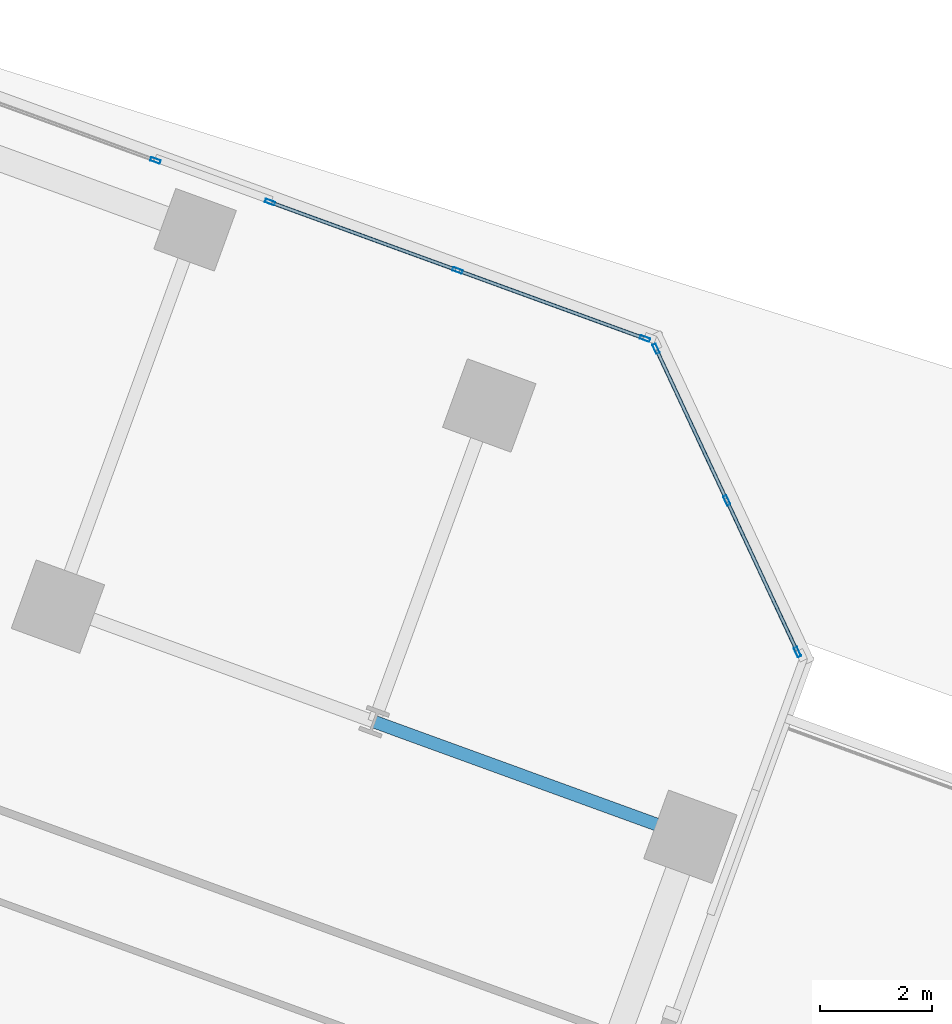
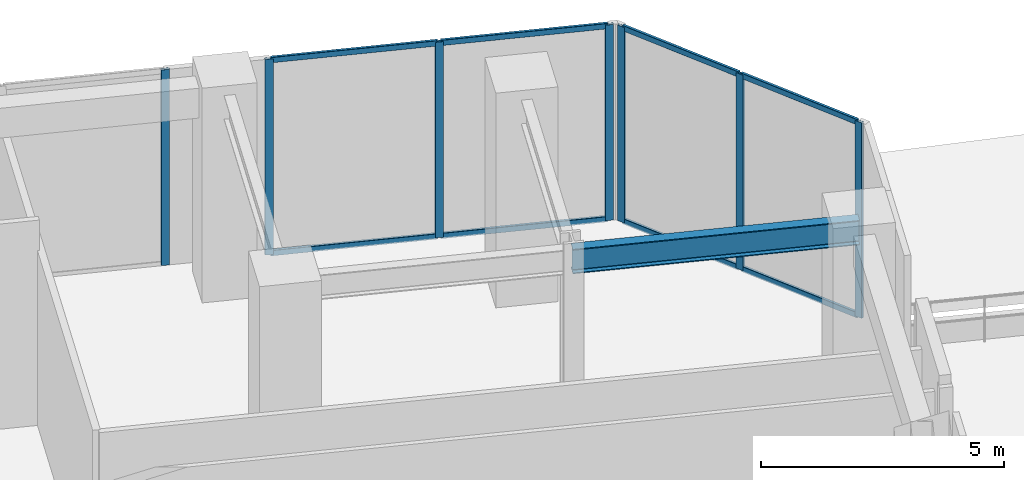
# One storey, part 11 of 21: 15 members, 1 beam, 3 elements without a shape of their own.
"""IFC4 building model written with IfcOpenShell, lengths in metres."""

import ifcopenshell
import ifcopenshell.guid

model = None  # the IFC model being written
_history = None  # IfcOwnerHistory: only IFC2X3 demands one
_inside = {}  # id of a spatial element -> (the spatial element, [elements in it])
_under = {}  # id of a project, library or spatial element -> (it, [spatial elements below it])
_declared = {}  # id of a project -> (the project, [libraries it declares])
_typed = {}  # id of a type object -> (the type object, [elements of that type])
_made_of = {}  # id of a material, layer set ... -> (it, [elements and type objects made of it])


def new_model(schema):
    """Start an empty IFC model of exactly this schema.

    Asked for "IFC4X3", IfcOpenShell would pick the latest addendum, in which some entities
    have other attributes; the version numbers below select the first issue.
    IFC2X3 requires an IfcOwnerHistory on every rooted entity: one is made here for all.
    """
    global model, _history
    if schema == "IFC4X3":
        model = ifcopenshell.file(schema_version=(4, 3, 0, 0))
    else:
        model = ifcopenshell.file(schema=schema)
    _inside.clear()
    _under.clear()
    _declared.clear()
    _typed.clear()
    _made_of.clear()
    _history = None
    if model.schema == "IFC2X3":
        org = make("IfcOrganization", Name="unknown")
        user = make(
            "IfcPersonAndOrganization",
            ThePerson=make("IfcPerson", FamilyName="unknown"),
            TheOrganization=org,
        )
        app = make(
            "IfcApplication",
            ApplicationDeveloper=org,
            Version="unknown",
            ApplicationFullName="unknown",
            ApplicationIdentifier="unknown",
        )
        _history = make(
            "IfcOwnerHistory",
            OwningUser=user,
            OwningApplication=app,
            ChangeAction="ADDED",
            CreationDate=0,
        )
    return model


def make(cls, **values):
    """One entity of the class cls with the attributes given. An attribute that is None is left unset."""
    return model.create_entity(
        cls, **{name: value for name, value in values.items() if value is not None}
    )


def rooted(cls, **values):
    """An entity with a GlobalId (a new one), such as an element, a storey or a relation."""
    return make(cls, GlobalId=ifcopenshell.guid.new(), OwnerHistory=_history, **values)


def si_unit(unit_type, name, prefix=None):
    """IfcSIUnit, for example si_unit("LENGTHUNIT", "METRE", prefix="MILLI")."""
    return make("IfcSIUnit", UnitType=unit_type, Prefix=prefix, Name=name)


def assignment(units):
    """IfcUnitAssignment: the units of a project."""
    return None if units is None else make("IfcUnitAssignment", Units=units)


def point(xyz):
    """IfcCartesianPoint."""
    return None if xyz is None else make("IfcCartesianPoint", Coordinates=xyz)


def direction(xyz):
    """IfcDirection."""
    return None if xyz is None else make("IfcDirection", DirectionRatios=xyz)


def frame(location, z_axis=None, x_axis=None):
    """IfcAxis2Placement3D, a coordinate frame: its origin and axes. An axis left out is left unset."""
    return make(
        "IfcAxis2Placement3D",
        Location=point(location),
        Axis=direction(z_axis),
        RefDirection=direction(x_axis),
    )


def frame_2d(location, x_axis=None):
    """IfcAxis2Placement2D, a coordinate frame in the plane: its origin and x axis."""
    return make(
        "IfcAxis2Placement2D", Location=point(location), RefDirection=direction(x_axis)
    )


def origin():
    """The frame at (0, 0, 0) with its axes left unset."""
    return frame((0.0, 0.0, 0.0))


def origin_2d():
    """The frame at (0, 0) in the plane with its x axis left unset."""
    return frame_2d((0.0, 0.0))


def place(relative_to, where):
    """IfcLocalPlacement: puts the frame where relative to a parent placement (None: the world)."""
    return make(
        "IfcLocalPlacement", PlacementRelTo=relative_to, RelativePlacement=where
    )


def context(
    kind, dimensions, precision=None, world=None, true_north=None, identifier=None
):
    """IfcGeometricRepresentationContext, for example the 3D "Model" context."""
    return make(
        "IfcGeometricRepresentationContext",
        ContextIdentifier=identifier,
        ContextType=kind,
        CoordinateSpaceDimension=dimensions,
        Precision=precision,
        WorldCoordinateSystem=world,
        TrueNorth=true_north,
    )


def subcontext(parent, identifier, kind, view, scale=None):
    """IfcGeometricRepresentationSubContext, for example "Body" below "Model"."""
    return make(
        "IfcGeometricRepresentationSubContext",
        ContextIdentifier=identifier,
        ContextType=kind,
        ParentContext=parent,
        TargetScale=scale,
        TargetView=view,
    )


def project(units=None, contexts=None):
    """IfcProject with its units and contexts."""
    return rooted(
        "IfcProject",
        Name="project",
        RepresentationContexts=contexts,
        UnitsInContext=assignment(units),
    )


def spatial(cls, under=None, at=None, **own):
    """A site, building, storey or space (cls), placed at a placement, below another one or the project."""
    s = rooted(cls, ObjectPlacement=at, **own)
    if under is not None:
        _under.setdefault(under.id(), (under, []))[1].append(s)
    return s


def profile(cls, at=None, kind="AREA", **sizes):
    """A parametric profile (cls). Its sizes go by their IFC names, for example OverallWidth=200.0."""
    return make(cls, ProfileType=kind, Position=at, **sizes)


def hollow_rectangle(**sizes):
    """IfcRectangleHollowProfileDef."""
    return profile("IfcRectangleHollowProfileDef", **sizes)


def i_section(**sizes):
    """IfcIShapeProfileDef."""
    return profile("IfcIShapeProfileDef", **sizes)


def extrude(swept, where, along, depth):
    """IfcExtrudedAreaSolid: the profile swept, set in the frame where, extruded along a direction by depth."""
    return make(
        "IfcExtrudedAreaSolid",
        SweptArea=swept,
        Position=where,
        ExtrudedDirection=direction(along),
        Depth=depth,
    )


def shape(context_of_items, identifier, shape_type, items):
    """IfcShapeRepresentation: the items that make up one representation, for example the "Body"."""
    return make(
        "IfcShapeRepresentation",
        ContextOfItems=context_of_items,
        RepresentationIdentifier=identifier,
        RepresentationType=shape_type,
        Items=items,
    )


def source(mapping_origin, context_of_items, identifier, shape_type, items):
    """IfcRepresentationMap: a shape defined once, which mapped items show again and again."""
    return make(
        "IfcRepresentationMap",
        MappingOrigin=mapping_origin,
        MappedRepresentation=shape(context_of_items, identifier, shape_type, items),
    )


def transform(
    local_origin,
    x_axis=None,
    y_axis=None,
    z_axis=None,
    scale=None,
    scale2=None,
    scale3=None,
    uniform=True,
):
    """IfcCartesianTransformationOperator3D, or its non-uniform kind. x_axis, y_axis, z_axis: its Axis1, 2, 3."""
    if uniform:
        return make(
            "IfcCartesianTransformationOperator3D",
            Axis1=direction(x_axis),
            Axis2=direction(y_axis),
            LocalOrigin=point(local_origin),
            Scale=scale,
            Axis3=direction(z_axis),
        )
    return make(
        "IfcCartesianTransformationOperator3DnonUniform",
        Axis1=direction(x_axis),
        Axis2=direction(y_axis),
        LocalOrigin=point(local_origin),
        Scale=scale,
        Axis3=direction(z_axis),
        Scale2=scale2,
        Scale3=scale3,
    )


def mapped(mapping_source, mapping_target):
    """IfcMappedItem: shows the shape of a source again, moved by a transform."""
    return make(
        "IfcMappedItem", MappingSource=mapping_source, MappingTarget=mapping_target
    )


def material(Name=None, Category=None):
    """IfcMaterial."""
    return make("IfcMaterial", Name=Name, Category=Category)


def material_profile(
    of_material, cross_section, Name=None, Category=None, Priority=None
):
    """IfcMaterialProfile: a cross section and its material."""
    return make(
        "IfcMaterialProfile",
        Name=Name,
        Material=of_material,
        Profile=cross_section,
        Priority=Priority,
        Category=Category,
    )


def profile_set(profiles, Name=None, composite=None):
    """IfcMaterialProfileSet."""
    return make(
        "IfcMaterialProfileSet",
        Name=Name,
        MaterialProfiles=profiles,
        CompositeProfile=composite,
    )


def made_of(thing, what):
    """Note that an element or type object is made of a material, layer set ...; save() writes the relation."""
    if what is not None:
        _made_of.setdefault(what.id(), (what, []))[1].append(thing)
    return thing


def type_object(cls, material=None, **own):
    """A type object (cls), such as IfcWallType, which elements share."""
    return made_of(rooted(cls, **own), material)


def element(
    cls,
    number,
    at=None,
    inside=None,
    cuts=None,
    type_object=None,
    material=None,
    context=None,
    identifier="Body",
    shape_type=None,
    held_by="IfcProductDefinitionShape",
    body=None,
    shapes=None,
    **own,
):
    """One element of the class cls, such as IfcWall. Its Tag is "e" and its number.

    at: its placement. inside: the storey or other place that contains it. cuts: it is an
    opening in that element (IfcRelVoidsElement). A single representation is given by context,
    identifier, shape_type and body (its items); several are given by shapes. held_by: the class
    of the entity that holds the representations. save() writes the other relations.
    """
    e = rooted(cls, Tag="e%d" % number, ObjectPlacement=at, **own)
    if body is not None:
        shapes = [shape(context, identifier, shape_type, body)]
    if shapes is not None:
        e.Representation = make(held_by, Representations=shapes)
    if inside is not None:
        _inside.setdefault(inside.id(), (inside, []))[1].append(e)
    if cuts is not None:
        rooted(
            "IfcRelVoidsElement", RelatingBuildingElement=cuts, RelatedOpeningElement=e
        )
    if type_object is not None:
        _typed.setdefault(type_object.id(), (type_object, []))[1].append(e)
    return made_of(e, material)


def aggregate(whole, parts):
    """IfcRelAggregates: a whole, such as a stair, and the parts it consists of."""
    return rooted("IfcRelAggregates", RelatingObject=whole, RelatedObjects=parts)


def save(model, path):
    """Write the relations noted so far, then the file.

    IfcRelAggregates (storeys below a building ...), IfcRelContainedInSpatialStructure (elements
    in a storey), IfcRelDefinesByType, IfcRelAssociatesMaterial and IfcRelDeclares: one each for
    every whole, place, type object, material and project.
    """
    for whole, parts in _under.values():
        aggregate(whole, parts)
    for where, things in _inside.values():
        rooted(
            "IfcRelContainedInSpatialStructure",
            RelatedElements=things,
            RelatingStructure=where,
        )
    for kind, things in _typed.values():
        rooted("IfcRelDefinesByType", RelatedObjects=things, RelatingType=kind)
    for what, things in _made_of.values():
        rooted("IfcRelAssociatesMaterial", RelatedObjects=things, RelatingMaterial=what)
    for by, libraries in _declared.values():
        rooted("IfcRelDeclares", RelatingContext=by, RelatedDefinitions=libraries)
    model.write(path)


model = new_model("IFC4")

# Units and contexts
model_context = context("Model", 3, precision=1e-05, world=origin(), true_north=direction((0.0, 1.0)))
body_context = subcontext(model_context, "Body", "Model", "MODEL_VIEW")
ifc_project = project(units=[si_unit("LENGTHUNIT", "METRE"), si_unit("AREAUNIT", "SQUARE_METRE"), si_unit("VOLUMEUNIT", "CUBIC_METRE"), si_unit("PLANEANGLEUNIT", "RADIAN"), si_unit("MASSUNIT", "GRAM", prefix="KILO")], contexts=[model_context])

# Site, building, storey
site_placement = place(None, origin())
site = spatial("IfcSite", under=ifc_project, at=site_placement, CompositionType="ELEMENT")
building_placement = place(site_placement, origin())
building = spatial("IfcBuilding", under=site, at=building_placement, Name="Torre Montelarca", CompositionType="ELEMENT")
storey_placement = place(building_placement, frame((0.0, 0.0, 127.60009765625)))
storey = spatial("IfcBuildingStorey", under=building, at=storey_placement, Name="L28", CompositionType="ELEMENT", Elevation=127.60009765625)

# Beam
ifc_material_1 = material(Name="Steel ASTM A992 Grade 50", Category="steel")
ifc_material_profile_1 = material_profile(ifc_material_1, i_section(OverallWidth=0.22998046875, OverallDepth=0.616943359375, WebThickness=0.01318359375, FlangeThickness=0.022216796875, FilletRadius=0.014892578125, at=origin_2d()), Name="W610X140", Category="steel")
ifc_profile_set_1 = profile_set([ifc_material_profile_1], Name="Steel ASTM A992 Grade 50")
beam_type = type_object("IfcBeamType", Name="BM-G-W610", PredefinedType="BEAM", material=ifc_profile_set_1)
shared_shape_1 = source(origin(), body_context, "Body", "SweptSolid", [
    extrude(i_section(OverallWidth=0.22998046875, OverallDepth=0.616943359375, WebThickness=0.01318359375, FlangeThickness=0.022216796875, FilletRadius=0.014892578125, at=origin_2d()), origin(), (0.0, 0.0, 1.0), 5.999755859375),
])
beam_placement = place(storey_placement, frame((43.5, 32.506103515625, 4.850830078125), z_axis=(0.939694773679, -0.342014228241, 0.0), x_axis=(0.342014228241, 0.939694773679, 0.0)))
element("IfcBeam", 1, at=beam_placement, inside=storey, type_object=beam_type, Name="L28 Grid Girder X 42.0-48.0 at Y=40.0", PredefinedType="BEAM", context=body_context, shape_type="MappedRepresentation", body=[
    mapped(shared_shape_1, transform((0.0, 0.0, 0.0), scale=1.0)),
])

# Curtain wall, members
ifc_material_2 = material(Name="Insulated low-E laminated glass", Category="glass")
curtain_wall_type = type_object("IfcCurtainWallType", Name="CW-SYS-Z2", PredefinedType="USERDEFINED", material=ifc_material_2)
curtain_wall_1_placement = place(storey_placement, origin())
curtain_wall_1 = element("IfcCurtainWall", 2, at=curtain_wall_1_placement, inside=storey, type_object=curtain_wall_type, Name="L28 Curtain Wall Run CW-T3-L28-E07-B1", ObjectType="UNITISED GLAZING", PredefinedType="USERDEFINED")
ifc_material_3 = material(Name="Anodised aluminium AA 6063-T6", Category="aluminium")
ifc_material_profile_2 = material_profile(ifc_material_3, hollow_rectangle(XDim=0.06494140625, YDim=0.139892578125, WallThickness=0.00390625, InnerFilletRadius=0.00390625, OuterFilletRadius=0.008056640625, at=origin_2d()), Name="ALU65X140X4", Category="aluminium")
ifc_profile_set_2 = profile_set([ifc_material_profile_2], Name="Anodised aluminium AA 6063-T6")
member_type_1 = type_object("IfcMemberType", Name="CWT-ALU140", PredefinedType="USERDEFINED", material=ifc_profile_set_2)
shared_shape_2 = source(origin(), body_context, "Body", "SweptSolid", [
    extrude(hollow_rectangle(XDim=0.06494140625, YDim=0.139892578125, WallThickness=0.00390625, InnerFilletRadius=0.00390625, OuterFilletRadius=0.008056640625, at=origin_2d()), origin(), (0.0, 0.0, 1.0), 2.918701171875),
])
member_1_placement = place(storey_placement, frame((51.03369140625, 33.77734375, 0.032470703125), z_axis=(-0.422587791305, 0.90632199501, 0.0), x_axis=(-0.90632199501, -0.422587791305, 0.0)))
member_1 = element("IfcMember", 3, at=member_1_placement, type_object=member_type_1, Name="CW transom 1.1", ObjectType="TRANSOM", PredefinedType="USERDEFINED", context=body_context, shape_type="MappedRepresentation", body=[
    mapped(shared_shape_2, transform((0.0, 0.0, 0.0), scale=1.0)),
])
member_2_placement = place(storey_placement, frame((51.03369140625, 33.77734375, 4.887451171875), z_axis=(-0.422587791305, 0.90632199501, 0.0), x_axis=(-0.90632199501, -0.422587791305, 0.0)))
member_2 = element("IfcMember", 4, at=member_2_placement, type_object=member_type_1, Name="CW transom 1.2", ObjectType="TRANSOM", PredefinedType="USERDEFINED", context=body_context, shape_type="MappedRepresentation", body=[
    mapped(shared_shape_2, transform((0.0, 0.0, 0.0), scale=1.0)),
])
member_3_placement = place(storey_placement, frame((49.77294921875, 36.4814453125, 0.032470703125), z_axis=(-0.422587791305, 0.90632199501, 0.0), x_axis=(-0.90632199501, -0.422587791305, 0.0)))
member_3 = element("IfcMember", 5, at=member_3_placement, type_object=member_type_1, Name="CW transom 2.1", ObjectType="TRANSOM", PredefinedType="USERDEFINED", context=body_context, shape_type="MappedRepresentation", body=[
    mapped(shared_shape_2, transform((0.0, 0.0, 0.0), scale=1.0)),
])
member_4_placement = place(storey_placement, frame((49.77294921875, 36.4814453125, 4.887451171875), z_axis=(-0.422587791305, 0.90632199501, 0.0), x_axis=(-0.90632199501, -0.422587791305, 0.0)))
member_4 = element("IfcMember", 6, at=member_4_placement, type_object=member_type_1, Name="CW transom 2.2", ObjectType="TRANSOM", PredefinedType="USERDEFINED", context=body_context, shape_type="MappedRepresentation", body=[
    mapped(shared_shape_2, transform((0.0, 0.0, 0.0), scale=1.0)),
])
ifc_material_profile_3 = material_profile(ifc_material_3, hollow_rectangle(XDim=0.06494140625, YDim=0.179931640625, WallThickness=0.00390625, InnerFilletRadius=0.00390625, OuterFilletRadius=0.008056640625, at=origin_2d()), Name="ALU65X180X4", Category="aluminium")
ifc_profile_set_3 = profile_set([ifc_material_profile_3], Name="Anodised aluminium AA 6063-T6")
member_type_2 = type_object("IfcMemberType", Name="CWM-ALU180", PredefinedType="MULLION", material=ifc_profile_set_3)
shared_shape_3 = source(origin(), body_context, "Body", "SweptSolid", [
    extrude(hollow_rectangle(XDim=0.06494140625, YDim=0.179931640625, WallThickness=0.00390625, InnerFilletRadius=0.00390625, OuterFilletRadius=0.008056640625, at=origin_2d()), origin(), (0.0, 0.0, 1.0), 4.919921875),
])
member_5_placement = place(storey_placement, frame((51.04736328125, 33.748046875, 0.0), z_axis=(0.0, 0.0, 1.0), x_axis=(-0.906317349192, -0.422597755027, 0.0)))
member_5 = element("IfcMember", 7, at=member_5_placement, type_object=member_type_2, Name="CW mullion 1", PredefinedType="MULLION", context=body_context, shape_type="MappedRepresentation", body=[
    mapped(shared_shape_3, transform((0.0, 0.0, 0.0), scale=1.0)),
])
member_6_placement = place(storey_placement, frame((49.78662109375, 36.4521484375, 0.0), z_axis=(0.0, 0.0, 1.0), x_axis=(-0.906317349192, -0.422597755027, 0.0)))
member_6 = element("IfcMember", 8, at=member_6_placement, type_object=member_type_2, Name="CW mullion 2", PredefinedType="MULLION", context=body_context, shape_type="MappedRepresentation", body=[
    mapped(shared_shape_3, transform((0.0, 0.0, 0.0), scale=1.0)),
])
member_7_placement = place(storey_placement, frame((48.525634765625, 39.15625, 0.0), z_axis=(0.0, 0.0, 1.0), x_axis=(-0.906317349192, -0.422597755027, 0.0)))
member_7 = element("IfcMember", 9, at=member_7_placement, type_object=member_type_2, Name="CW mullion 3", PredefinedType="MULLION", context=body_context, shape_type="MappedRepresentation", body=[
    mapped(shared_shape_3, transform((0.0, 0.0, 0.0), scale=1.0)),
])
aggregate(curtain_wall_1, [member_5, member_6, member_7, member_1, member_2, member_3, member_4])

curtain_wall_2_placement = place(storey_placement, origin())
curtain_wall_2 = element("IfcCurtainWall", 10, at=curtain_wall_2_placement, inside=storey, type_object=curtain_wall_type, Name="L28 Curtain Wall Run CW-T3-L28-E08-B1", ObjectType="UNITISED GLAZING", PredefinedType="USERDEFINED")
member_8_placement = place(storey_placement, frame((48.328857421875, 39.33642578125, 0.0), z_axis=(0.0, 0.0, 1.0), x_axis=(-0.342018176041, -0.939693336817, 0.0)))
member_8 = element("IfcMember", 11, at=member_8_placement, type_object=member_type_2, Name="CW mullion 1", PredefinedType="MULLION", context=body_context, shape_type="MappedRepresentation", body=[
    mapped(shared_shape_3, transform((0.0, 0.0, 0.0), scale=1.0)),
])
member_9_placement = place(storey_placement, frame((44.986083984375, 40.552978515625, 0.0), z_axis=(0.0, 0.0, 1.0), x_axis=(-0.342018176041, -0.939693336817, 0.0)))
member_9 = element("IfcMember", 12, at=member_9_placement, type_object=member_type_2, Name="CW mullion 2", PredefinedType="MULLION", context=body_context, shape_type="MappedRepresentation", body=[
    mapped(shared_shape_3, transform((0.0, 0.0, 0.0), scale=1.0)),
])
member_10_placement = place(storey_placement, frame((41.6435546875, 41.769775390625, 0.0), z_axis=(0.0, 0.0, 1.0), x_axis=(-0.342018176041, -0.939693336817, 0.0)))
member_10 = element("IfcMember", 13, at=member_10_placement, type_object=member_type_2, Name="CW mullion 3", PredefinedType="MULLION", context=body_context, shape_type="MappedRepresentation", body=[
    mapped(shared_shape_3, transform((0.0, 0.0, 0.0), scale=1.0)),
])

# Curtain wall, member
curtain_wall_3_placement = place(storey_placement, origin())
curtain_wall_3 = element("IfcCurtainWall", 14, at=curtain_wall_3_placement, inside=storey, type_object=curtain_wall_type, Name="L28 Curtain Wall Run CW-T3-L28-E08-B2", ObjectType="UNITISED GLAZING", PredefinedType="USERDEFINED")
member_11_placement = place(storey_placement, frame((39.599853515625, 42.513427734375, 0.0), z_axis=(0.0, 0.0, 1.0), x_axis=(-0.342016903212, -0.939693800085, 0.0)))
member_11 = element("IfcMember", 15, at=member_11_placement, type_object=member_type_2, Name="CW mullion 1", PredefinedType="MULLION", context=body_context, shape_type="MappedRepresentation", body=[
    mapped(shared_shape_3, transform((0.0, 0.0, 0.0), scale=1.0)),
])
aggregate(curtain_wall_3, [member_11])

# Member
shared_shape_4 = source(origin(), body_context, "Body", "SweptSolid", [
    extrude(hollow_rectangle(XDim=0.06494140625, YDim=0.139892578125, WallThickness=0.00390625, InnerFilletRadius=0.00390625, OuterFilletRadius=0.008056640625, at=origin_2d()), origin(), (0.0, 0.0, 1.0), 3.4921875),
])
member_12_placement = place(storey_placement, frame((48.29833984375, 39.34765625, 0.032470703125), z_axis=(-0.939695405145, 0.342012493265, 0.0), x_axis=(-0.342012493265, -0.939695405145, 0.0)))
member_12 = element("IfcMember", 16, at=member_12_placement, type_object=member_type_1, Name="CW transom 1.1", ObjectType="TRANSOM", PredefinedType="USERDEFINED", context=body_context, shape_type="MappedRepresentation", body=[
    mapped(shared_shape_4, transform((0.0, 0.0, 0.0), scale=1.0)),
])

member_13_placement = place(storey_placement, frame((48.29833984375, 39.34765625, 4.887451171875), z_axis=(-0.939695405145, 0.342012493265, 0.0), x_axis=(-0.342012493265, -0.939695405145, 0.0)))
member_13 = element("IfcMember", 17, at=member_13_placement, type_object=member_type_1, Name="CW transom 1.2", ObjectType="TRANSOM", PredefinedType="USERDEFINED", context=body_context, shape_type="MappedRepresentation", body=[
    mapped(shared_shape_4, transform((0.0, 0.0, 0.0), scale=1.0)),
])

member_14_placement = place(storey_placement, frame((44.95556640625, 40.564208984375, 0.032470703125), z_axis=(-0.939695405145, 0.342012493265, 0.0), x_axis=(-0.342012493265, -0.939695405145, 0.0)))
member_14 = element("IfcMember", 18, at=member_14_placement, type_object=member_type_1, Name="CW transom 2.1", ObjectType="TRANSOM", PredefinedType="USERDEFINED", context=body_context, shape_type="MappedRepresentation", body=[
    mapped(shared_shape_4, transform((0.0, 0.0, 0.0), scale=1.0)),
])

member_15_placement = place(storey_placement, frame((44.95556640625, 40.564208984375, 4.887451171875), z_axis=(-0.939695405145, 0.342012493265, 0.0), x_axis=(-0.342012493265, -0.939695405145, 0.0)))
member_15 = element("IfcMember", 19, at=member_15_placement, type_object=member_type_1, Name="CW transom 2.2", ObjectType="TRANSOM", PredefinedType="USERDEFINED", context=body_context, shape_type="MappedRepresentation", body=[
    mapped(shared_shape_4, transform((0.0, 0.0, 0.0), scale=1.0)),
])

aggregate(curtain_wall_2, [member_8, member_9, member_10, member_12, member_13, member_14, member_15])

save(model, "model.ifc")
